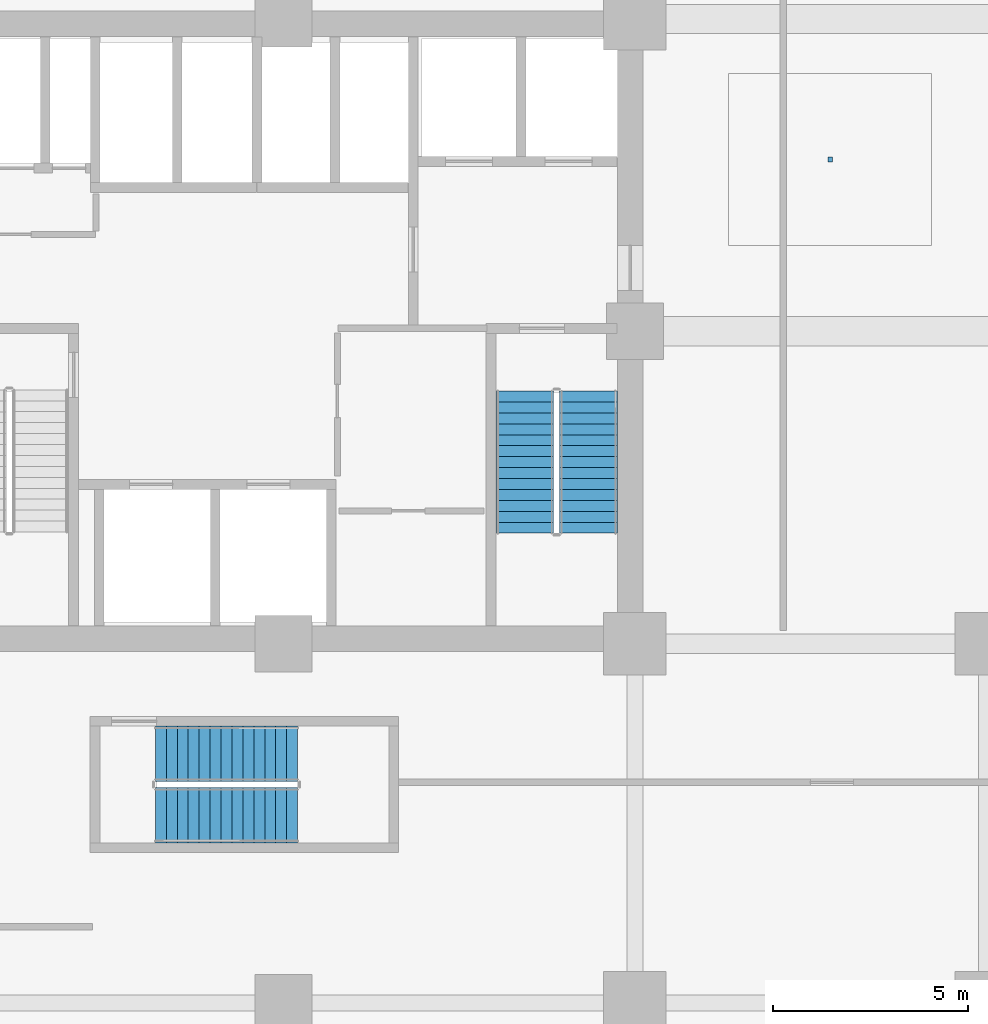
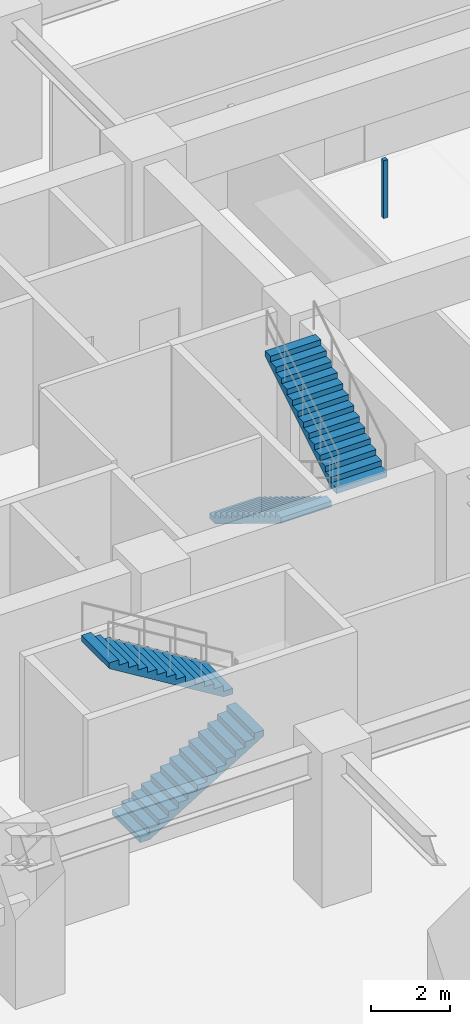
# One storey, part 5 of 12: 4 stair flights, 1 discrete accessory, 2 elements without a shape of their own.
"""IFC4 building model written with IfcOpenShell, lengths in metres."""

from ifc_helpers import new_model, si_unit, direction, frame, origin, origin_2d, place, context, subcontext, project, spatial, polyline, rectangle, outline, extrude, source, transform, mapped, material, type_object, element, aggregate, save


model = new_model("IFC4")

# Units and contexts
model_context = context("Model", 3, precision=1e-05, world=origin(), true_north=direction((0.0, 1.0)))
body_context = subcontext(model_context, "Body", "Model", "MODEL_VIEW")
ifc_project = project(units=[si_unit("LENGTHUNIT", "METRE"), si_unit("AREAUNIT", "SQUARE_METRE"), si_unit("VOLUMEUNIT", "CUBIC_METRE"), si_unit("PLANEANGLEUNIT", "RADIAN"), si_unit("MASSUNIT", "GRAM", prefix="KILO")], contexts=[model_context])

# Site, building, storey
site_placement = place(None, origin())
site = spatial("IfcSite", under=ifc_project, at=site_placement, CompositionType="ELEMENT")
building_placement = place(site_placement, origin())
building = spatial("IfcBuilding", under=site, at=building_placement, Name="Torre Montelarca", CompositionType="ELEMENT")
storey_placement = place(building_placement, frame((0.0, 0.0, 17.39990234375)))
storey = spatial("IfcBuildingStorey", under=building, at=storey_placement, Name="L04", CompositionType="ELEMENT", Elevation=17.39990234375)

# Stair, stair flights
ifc_material_1 = material(Name="Concrete C40/50", Category="concrete")
stair_type_1 = type_object("IfcStairType", Name="ST-CORE-ST2", PredefinedType="HALF_TURN_STAIR", material=ifc_material_1)
stair_1_placement = place(storey_placement, origin())
stair_1 = element("IfcStair", 1, at=stair_1_placement, inside=storey, type_object=stair_type_1, Name="L04 Protected Exit Stair ST2", PredefinedType="HALF_TURN_STAIR")
stair_flight_type_1 = type_object("IfcStairFlightType", Name="SFL-CORE-ST2", PredefinedType="STRAIGHT", material=ifc_material_1)
stair_flight_1_placement = place(storey_placement, frame((24.179931640625, 30.469970703125, 0.0), z_axis=(0.0, 0.0, 1.0), x_axis=(0.0, -1.0, 0.0)))
stair_flight_1 = element("IfcStairFlight", 2, at=stair_flight_1_placement, type_object=stair_flight_type_1, Name="ST2 flight 1", NumberOfRisers=14, NumberOfTreads=13, PredefinedType="STRAIGHT", RiserHeight=0.171428571, TreadLength=0.28, context=body_context, shape_type="SweptSolid", body=[
    extrude(outline(polyline([(0.0, 0.0), (0.0, 0.17138671875), (0.280029296875, 0.17138671875), (0.280029296875, 0.3427734375), (0.56005859375, 0.3427734375), (0.56005859375, 0.514404296875), (0.840087890625, 0.514404296875), (0.840087890625, 0.685791015625), (1.1201171875, 0.685791015625), (1.1201171875, 0.857177734375), (1.39990234375, 0.857177734375), (1.39990234375, 1.028564453125), (1.679931640625, 1.028564453125), (1.679931640625, 1.199951171875), (1.9599609375, 1.199951171875), (1.9599609375, 1.371337890625), (2.239990234375, 1.371337890625), (2.239990234375, 1.54296875), (2.52001953125, 1.54296875), (2.52001953125, 1.71435546875), (2.800048828125, 1.71435546875), (2.800048828125, 1.8857421875), (3.080078125, 1.8857421875), (3.080078125, 2.05712890625), (3.360107421875, 2.05712890625), (3.360107421875, 2.228515625), (3.639892578125, 2.228515625), (3.639892578125, 2.39990234375), (3.639892578125, 2.052734375), (0.287109375, 0.0), (0.0, 0.0)])), frame((0.0, 0.739990234375, 0.0), z_axis=(0.0, -1.0, 0.0), x_axis=(1.0, 0.0, 0.0)), (0.0, 0.0, 1.0), 1.47998046875),
])
stair_flight_2_placement = place(storey_placement, frame((25.81005859375, 26.830078125, 2.400146484375), z_axis=(0.0, 0.0, 1.0), x_axis=(0.0, 1.0, 0.0)))
stair_flight_2 = element("IfcStairFlight", 3, at=stair_flight_2_placement, type_object=stair_flight_type_1, Name="ST2 flight 2", NumberOfRisers=14, NumberOfTreads=13, PredefinedType="STRAIGHT", RiserHeight=0.171428571, TreadLength=0.28, context=body_context, shape_type="SweptSolid", body=[
    extrude(outline(polyline([(0.0, 0.0), (0.0, 0.17138671875), (0.280029296875, 0.17138671875), (0.280029296875, 0.3427734375), (0.56005859375, 0.3427734375), (0.56005859375, 0.514404296875), (0.840087890625, 0.514404296875), (0.840087890625, 0.685791015625), (1.1201171875, 0.685791015625), (1.1201171875, 0.857177734375), (1.39990234375, 0.857177734375), (1.39990234375, 1.028564453125), (1.679931640625, 1.028564453125), (1.679931640625, 1.199951171875), (1.9599609375, 1.199951171875), (1.9599609375, 1.371337890625), (2.239990234375, 1.371337890625), (2.239990234375, 1.54296875), (2.52001953125, 1.54296875), (2.52001953125, 1.71435546875), (2.800048828125, 1.71435546875), (2.800048828125, 1.8857421875), (3.080078125, 1.8857421875), (3.080078125, 2.05712890625), (3.360107421875, 2.05712890625), (3.360107421875, 2.228515625), (3.639892578125, 2.228515625), (3.639892578125, 2.39990234375), (3.639892578125, 2.052734375), (0.287109375, 0.0), (0.0, 0.0)])), frame((0.0, 0.739990234375, 0.0), z_axis=(0.0, -1.0, 0.0), x_axis=(1.0, 0.0, 0.0)), (0.0, 0.0, 1.0), 1.47998046875),
])
aggregate(stair_1, [stair_flight_1, stair_flight_2])

stair_type_2 = type_object("IfcStairType", Name="ST-CORE-ST3", PredefinedType="HALF_TURN_STAIR", material=ifc_material_1)
stair_2_placement = place(storey_placement, origin())
stair_2 = element("IfcStair", 4, at=stair_2_placement, inside=storey, type_object=stair_type_2, Name="L04 Low-Rise Exit Stair ST3", PredefinedType="HALF_TURN_STAIR")
stair_flight_type_2 = type_object("IfcStairFlightType", Name="SFL-CORE-ST3", PredefinedType="STRAIGHT", material=ifc_material_1)
stair_flight_3_placement = place(storey_placement, frame((14.719970703125, 19.610107421875, 0.0), z_axis=(0.0, 0.0, 1.0), x_axis=(1.0, 0.0, 0.0)))
stair_flight_3 = element("IfcStairFlight", 5, at=stair_flight_3_placement, type_object=stair_flight_type_2, Name="ST3 flight 1", NumberOfRisers=14, NumberOfTreads=13, PredefinedType="STRAIGHT", RiserHeight=0.171428571, TreadLength=0.28, context=body_context, shape_type="SweptSolid", body=[
    extrude(outline(polyline([(0.0, 0.0), (0.0, 0.17138671875), (0.280029296875, 0.17138671875), (0.280029296875, 0.3427734375), (0.56005859375, 0.3427734375), (0.56005859375, 0.514404296875), (0.840087890625, 0.514404296875), (0.840087890625, 0.685791015625), (1.1201171875, 0.685791015625), (1.1201171875, 0.857177734375), (1.39990234375, 0.857177734375), (1.39990234375, 1.028564453125), (1.679931640625, 1.028564453125), (1.679931640625, 1.199951171875), (1.9599609375, 1.199951171875), (1.9599609375, 1.371337890625), (2.239990234375, 1.371337890625), (2.239990234375, 1.54296875), (2.52001953125, 1.54296875), (2.52001953125, 1.71435546875), (2.800048828125, 1.71435546875), (2.800048828125, 1.8857421875), (3.080078125, 1.8857421875), (3.080078125, 2.05712890625), (3.360107421875, 2.05712890625), (3.360107421875, 2.228515625), (3.639892578125, 2.228515625), (3.639892578125, 2.39990234375), (3.639892578125, 2.052734375), (0.287109375, 0.0), (0.0, 0.0)])), frame((0.0, 0.7099609375, 0.0), z_axis=(0.0, -1.0, 0.0), x_axis=(1.0, 0.0, 0.0)), (0.0, 0.0, 1.0), 1.419921875),
])
stair_flight_4_placement = place(storey_placement, frame((18.360107421875, 21.179931640625, 2.400146484375), z_axis=(0.0, 0.0, 1.0), x_axis=(-1.0, 0.0, 0.0)))
stair_flight_4 = element("IfcStairFlight", 6, at=stair_flight_4_placement, type_object=stair_flight_type_2, Name="ST3 flight 2", NumberOfRisers=14, NumberOfTreads=13, PredefinedType="STRAIGHT", RiserHeight=0.171428571, TreadLength=0.28, context=body_context, shape_type="SweptSolid", body=[
    extrude(outline(polyline([(0.0, 0.0), (0.0, 0.17138671875), (0.280029296875, 0.17138671875), (0.280029296875, 0.3427734375), (0.56005859375, 0.3427734375), (0.56005859375, 0.514404296875), (0.840087890625, 0.514404296875), (0.840087890625, 0.685791015625), (1.1201171875, 0.685791015625), (1.1201171875, 0.857177734375), (1.39990234375, 0.857177734375), (1.39990234375, 1.028564453125), (1.679931640625, 1.028564453125), (1.679931640625, 1.199951171875), (1.9599609375, 1.199951171875), (1.9599609375, 1.371337890625), (2.239990234375, 1.371337890625), (2.239990234375, 1.54296875), (2.52001953125, 1.54296875), (2.52001953125, 1.71435546875), (2.800048828125, 1.71435546875), (2.800048828125, 1.8857421875), (3.080078125, 1.8857421875), (3.080078125, 2.05712890625), (3.360107421875, 2.05712890625), (3.360107421875, 2.228515625), (3.639892578125, 2.228515625), (3.639892578125, 2.39990234375), (3.639892578125, 2.052734375), (0.287109375, 0.0), (0.0, 0.0)])), frame((0.0, 0.7099609375, 0.0), z_axis=(0.0, -1.0, 0.0), x_axis=(1.0, 0.0, 0.0)), (0.0, 0.0, 1.0), 1.419921875),
])
aggregate(stair_2, [stair_flight_3, stair_flight_4])

# Discrete accessory
ifc_material_2 = material(Name="Galvanized steel suspension hanger", Category="steel")
discrete_accessory_type = type_object("IfcDiscreteAccessoryType", Name="ACC-CEIL-HNG", PredefinedType="BRACKET", material=ifc_material_2)
shared_shape = source(origin(), body_context, "Body", "SweptSolid", [
    extrude(rectangle(XDim=0.1201171875, YDim=0.1201171875, at=origin_2d()), origin(), (0.0, 0.0, 1.0), 1.800048828125),
])
discrete_accessory_placement = place(storey_placement, frame((32.0, 36.39990234375, 2.76025390625), z_axis=(0.0, 0.0, 1.0), x_axis=(1.0, 0.0, 0.0)))
element("IfcDiscreteAccessory", 7, at=discrete_accessory_placement, inside=storey, type_object=discrete_accessory_type, Name="L04 Suspended Ceiling Hanger Bracket 01", PredefinedType="BRACKET", context=body_context, shape_type="MappedRepresentation", body=[
    mapped(shared_shape, transform((0.0, 0.0, 0.0), scale=1.0)),
])

save(model, "model.ifc")
